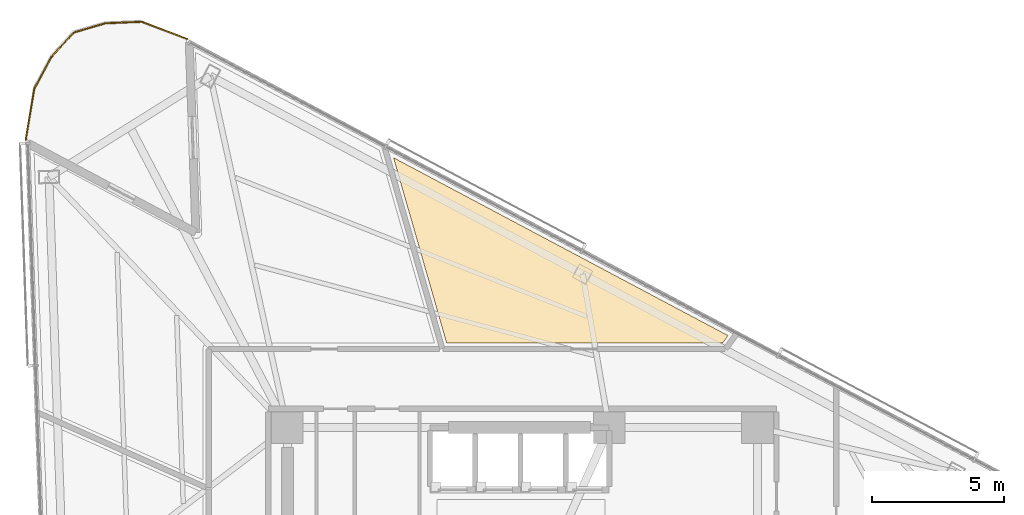
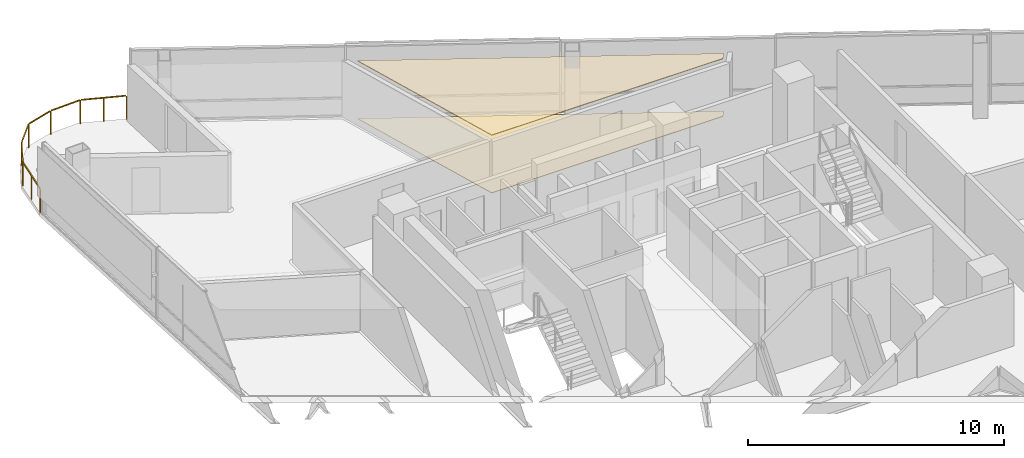
# One storey, part 21 of 21: 2 coverings, 1 railing.
"""IFC4 building model written with IfcOpenShell, lengths in metres."""

from ifc_helpers import new_model, si_unit, direction, frame, origin, origin_2d, place, context, subcontext, project, spatial, polyline, rectangle, outline, extrude, material, layer, layer_set, type_object, element, save


model = new_model("IFC4")

# Units and contexts
model_context = context("Model", 3, precision=1e-05, world=origin(), true_north=direction((0.0, 1.0)))
body_context = subcontext(model_context, "Body", "Model", "MODEL_VIEW")
ifc_project = project(units=[si_unit("LENGTHUNIT", "METRE"), si_unit("AREAUNIT", "SQUARE_METRE"), si_unit("VOLUMEUNIT", "CUBIC_METRE"), si_unit("PLANEANGLEUNIT", "RADIAN"), si_unit("MASSUNIT", "GRAM", prefix="KILO")], contexts=[model_context])

# Site, building, storey
site_placement = place(None, origin())
site = spatial("IfcSite", under=ifc_project, at=site_placement, CompositionType="ELEMENT")
building_placement = place(site_placement, origin())
building = spatial("IfcBuilding", under=site, at=building_placement, Name="Tharavind Bronze Gate", CompositionType="ELEMENT")
storey_placement = place(building_placement, frame((0.0, 0.0, 142.39990234375)))
storey = spatial("IfcBuildingStorey", under=building, at=storey_placement, Name="L36", CompositionType="ELEMENT", Elevation=142.39990234375)

# Coverings
ifc_material_1 = material(Name="Engineered Oak & Carpet Tile", Category="wood")
ifc_layer_1 = layer(ifc_material_1, 0.02490234375)
ifc_layer_set_1 = layer_set([ifc_layer_1], Name="Engineered Oak & Carpet Tile")
covering_type_1 = type_object("IfcCoveringType", Name="ENGINEERED TIMBER FLOORING", PredefinedType="FLOORING", material=ifc_layer_set_1)
covering_1_placement = place(storey_placement, origin())
element("IfcCovering", 1, at=covering_1_placement, inside=storey, type_object=covering_type_1, Name="L36-RM-01 floor finish", PredefinedType="FLOORING", context=body_context, shape_type="SweptSolid", body=[
    extrude(outline(polyline([(-2.867919921875, 10.800048828125), (7.57470703125, 10.800048828125), (7.782470703125, 11.085693359375), (-4.880615234375, 17.81884765625), (-2.867919921875, 10.800048828125)])), origin(), (0.0, 0.0, 1.0), 0.025146484375),
])
ifc_material_2 = material(Name="Acoustic Gypsum Board", Category="gypsum")
ifc_layer_2 = layer(ifc_material_2, 0.030029296875)
ifc_layer_set_2 = layer_set([ifc_layer_2], Name="Acoustic Gypsum Board")
covering_type_2 = type_object("IfcCoveringType", Name="GYPSUM SUSPENDED CEILING", PredefinedType="CEILING", material=ifc_layer_set_2)
covering_2_placement = place(storey_placement, frame((0.0, 0.0, 2.75)))
element("IfcCovering", 2, at=covering_2_placement, inside=storey, type_object=covering_type_2, Name="L36-RM-01 suspended ceiling", PredefinedType="CEILING", context=body_context, shape_type="SweptSolid", body=[
    extrude(outline(polyline([(-2.867919921875, 10.800048828125), (7.57470703125, 10.800048828125), (7.782470703125, 11.085693359375), (-4.880615234375, 17.81884765625), (-2.867919921875, 10.800048828125)])), origin(), (0.0, 0.0, 1.0), 0.03515625),
])

# Railing
ifc_material_3 = material(Name="Bronze Cap & Laminated Glass", Category="glass")
railing_type = type_object("IfcRailingType", Name="TERRACE GLASS GUARD RAILING 1150", PredefinedType="GUARDRAIL", material=ifc_material_3)
railing_placement = place(storey_placement, frame((-18.8046875, 18.500244140625, 0.0)))
element("IfcRailing", 3, at=railing_placement, inside=storey, type_object=railing_type, Name="L36 tree balcony guard railing", PredefinedType="GUARDRAIL", context=body_context, shape_type="SweptSolid", body=[
    extrude(rectangle(XDim=0.048095703125, YDim=0.048095703125, at=origin_2d()), frame((0.00537109375, 0.031494140625, 1.1259765625), z_axis=(0.164195729353, 0.986427778635, 0.0), x_axis=(-0.986427778635, 0.164195729353, 0.0)), (0.0, 0.0, 1.0), 1.8837890625),
    extrude(rectangle(XDim=0.048095703125, YDim=0.048095703125, at=origin_2d()), frame((0.3349609375, 1.949462890625, 1.1259765625), z_axis=(0.475354278584, 0.879794470221, 0.0), x_axis=(-0.879794470221, 0.475354278584, 0.0)), (0.0, 0.0, 1.0), 1.316650390625),
    extrude(rectangle(XDim=0.048095703125, YDim=0.048095703125, at=origin_2d()), frame((0.99755859375, 3.15966796875, 1.1259765625), z_axis=(0.672721531805, 0.739895763365, 0.0), x_axis=(-0.739895763365, 0.672721531805, 0.0)), (0.0, 0.0, 1.0), 1.1826171875),
    extrude(rectangle(XDim=0.048095703125, YDim=0.048095703125, at=origin_2d()), frame((1.845458984375, 4.0673828125, 1.1259765625), z_axis=(0.959866084935, 0.280458729571, 0.0), x_axis=(-0.280458729571, 0.959866084935, 0.0)), (0.0, 0.0, 1.0), 1.1826171875),
    extrude(rectangle(XDim=0.048095703125, YDim=0.048095703125, at=origin_2d()), frame((3.043212890625, 4.4091796875, 1.1259765625), z_axis=(0.999143462148, 0.041380454892, 0.0), x_axis=(-0.041380454892, 0.999143462148, 0.0)), (0.0, 0.0, 1.0), 1.316650390625),
    extrude(rectangle(XDim=0.048095703125, YDim=0.048095703125, at=origin_2d()), frame((4.420654296875, 4.453857421875, 1.1259765625), z_axis=(0.935175477512, -0.354184734651, 0.0), x_axis=(0.354184734651, 0.935175477512, 0.0)), (0.0, 0.0, 1.0), 1.770263671875),
    extrude(rectangle(XDim=0.0400390625, YDim=0.0400390625, at=origin_2d()), origin(), (0.0, 0.0, 1.0), 1.097900390625),
    extrude(rectangle(XDim=0.0400390625, YDim=0.0400390625, at=origin_2d()), frame((0.159912109375, 0.960693359375, 0.0)), (0.0, 0.0, 1.0), 1.097900390625),
    extrude(rectangle(XDim=0.0400390625, YDim=0.0400390625, at=origin_2d()), frame((0.31982421875, 1.92138671875, 0.0)), (0.0, 0.0, 1.0), 1.097900390625),
    extrude(rectangle(XDim=0.0400390625, YDim=0.0400390625, at=origin_2d()), frame((0.97607421875, 3.135986328125, 0.0)), (0.0, 0.0, 1.0), 1.097900390625),
    extrude(rectangle(XDim=0.0400390625, YDim=0.0400390625, at=origin_2d()), frame((1.814697265625, 4.058349609375, 0.0)), (0.0, 0.0, 1.0), 1.097900390625),
    extrude(rectangle(XDim=0.0400390625, YDim=0.0400390625, at=origin_2d()), frame((3.01123046875, 4.407958984375, 0.0)), (0.0, 0.0, 1.0), 1.097900390625),
    extrude(rectangle(XDim=0.0400390625, YDim=0.0400390625, at=origin_2d()), frame((4.390625, 4.465087890625, 0.0)), (0.0, 0.0, 1.0), 1.097900390625),
    extrude(rectangle(XDim=0.0400390625, YDim=0.0400390625, at=origin_2d()), frame((5.248291015625, 4.14013671875, 0.0)), (0.0, 0.0, 1.0), 1.097900390625),
    extrude(rectangle(XDim=0.0400390625, YDim=0.0400390625, at=origin_2d()), frame((6.10595703125, 3.8154296875, 0.0)), (0.0, 0.0, 1.0), 1.097900390625),
])

save(model, "model.ifc")
